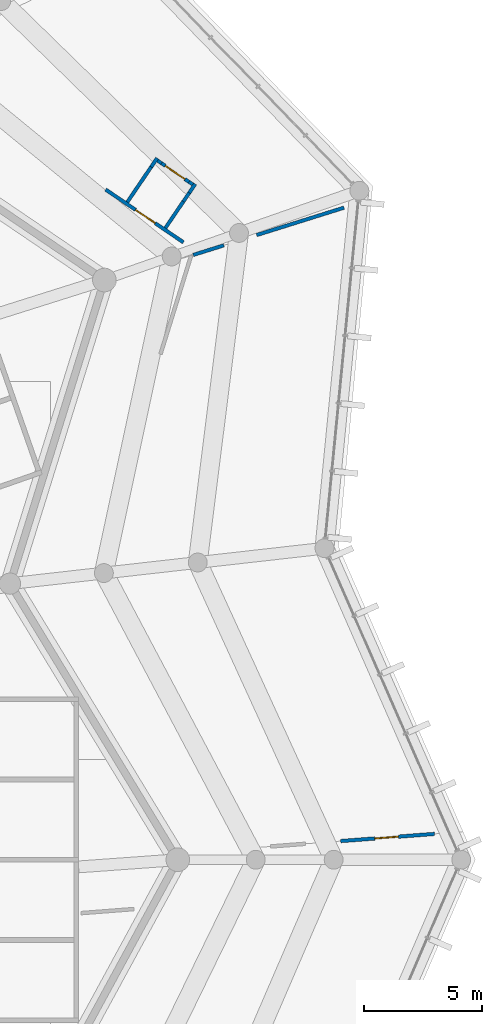
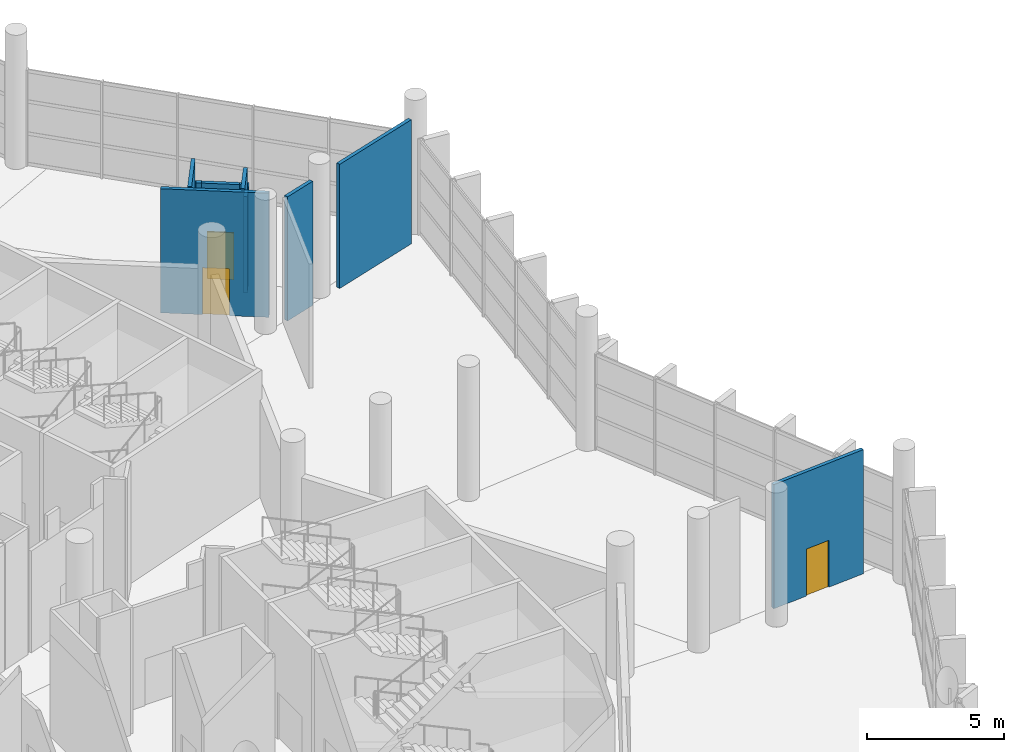
# One storey, part 173 of 249: 12 walls, 3 doors, 3 openings.
"""IFC4 building model written with IfcOpenShell, lengths in metres."""

from ifc_helpers import new_model, si_unit, direction, frame, frame_2d, origin, place, context, subcontext, project, spatial, rectangle, extrude, material, layer, layer_set, type_object, element, fill, save


model = new_model("IFC4")

# Units and contexts
model_context = context("Model", 3, precision=1e-05, world=origin(), true_north=direction((0.0, 1.0)))
body_context = subcontext(model_context, "Body", "Model", "MODEL_VIEW")
ifc_project = project(units=[si_unit("LENGTHUNIT", "METRE"), si_unit("AREAUNIT", "SQUARE_METRE"), si_unit("VOLUMEUNIT", "CUBIC_METRE"), si_unit("PLANEANGLEUNIT", "RADIAN"), si_unit("MASSUNIT", "GRAM", prefix="KILO")], contexts=[model_context])

# Site, building, storey
site_placement = place(None, origin())
site = spatial("IfcSite", under=ifc_project, at=site_placement, CompositionType="ELEMENT")
building_placement = place(site_placement, origin())
building = spatial("IfcBuilding", under=site, at=building_placement, Name="Meseta Stadium", CompositionType="ELEMENT")
storey_placement = place(building_placement, frame((0.0, 0.0, 12.0)))
storey = spatial("IfcBuildingStorey", under=building, at=storey_placement, Name="L02", CompositionType="ELEMENT", Elevation=12.0)

# Wall, opening, door
ifc_material_1 = material(Name="Masonry blockwork", Category="masonry")
ifc_layer = layer(ifc_material_1, 0.14990234375)
ifc_layer_set = layer_set([ifc_layer], Name="Partition 150")
wall_type = type_object("IfcWallType", Name="Partition 150", PredefinedType="PARTITIONING", material=ifc_layer_set)
wall_1_placement = place(storey_placement, frame((108.297119140625, 44.540283203125, 0.0), z_axis=(0.0, 0.0, 1.0), x_axis=(0.997068185729, 0.076518187433, 0.0)))
wall_1 = element("IfcWall", 1, at=wall_1_placement, inside=storey, type_object=wall_type, Name="Partition L02 L02-ring03-0", PredefinedType="PARTITIONING", context=body_context, shape_type="SweptSolid", body=[
    extrude(rectangle(XDim=3.978759765625, YDim=0.14990234375, at=frame_2d((1.9892578125, 0.0))), origin(), (0.0, 0.0, 1.0), 5.550048828125),
])
opening_1_placement = place(wall_1_placement, frame((1.449951171875, 0.0, 0.0)))
opening_1 = element("IfcOpeningElement", 2, at=opening_1_placement, cuts=wall_1, Name="Opening D1270", PredefinedType="OPENING", context=body_context, shape_type="SweptSolid", body=[
    extrude(rectangle(XDim=1.0, YDim=2.10009765625, at=frame_2d((0.5, 1.050048828125))), frame((0.0, 0.0849609375, 0.0), z_axis=(0.0, -1.0, 0.0), x_axis=(1.0, 0.0, 0.0)), (0.0, 0.0, 1.0), 0.169921875),
])
ifc_material_2 = material(Name="Steel", Category="steel")
door_type = type_object("IfcDoorType", Name="Fire door 1000x2100 EI2 60", OperationType="NOTDEFINED", PredefinedType="DOOR", material=ifc_material_2)
door_1_placement = place(opening_1_placement, origin())
door_1 = element("IfcDoor", 3, at=door_1_placement, inside=storey, type_object=door_type, Name="Room door L02 L02-ring03-0", OperationType="SINGLE_SWING_LEFT", OverallHeight=2.10009765625, OverallWidth=1.0, PredefinedType="DOOR", context=body_context, shape_type="SweptSolid", body=[
    extrude(rectangle(XDim=1.0, YDim=2.10009765625, at=frame_2d((0.5, 1.050048828125))), frame((0.0, 0.02490234375, 0.0), z_axis=(0.0, -1.0, 0.0), x_axis=(1.0, 0.0, 0.0)), (0.0, 0.0, 1.0), 0.050048828125),
])
fill(opening_1, door_1)

# Walls
wall_2_placement = place(storey_placement, frame((102.05078125, 69.359619140625, 0.0), z_axis=(0.0, 0.0, 1.0), x_axis=(0.954243765566, 0.299029824395, 0.0)))
element("IfcWall", 4, at=wall_2_placement, inside=storey, type_object=wall_type, Name="Partition L02 L02-ring04-0", PredefinedType="PARTITIONING", context=body_context, shape_type="SweptSolid", body=[
    extrude(rectangle(XDim=1.362548828125, YDim=0.14990234375, at=frame_2d((0.68115234375, 0.0))), origin(), (0.0, 0.0, 1.0), 5.550048828125),
])
wall_3_placement = place(storey_placement, frame((104.73828125, 70.2021484375, 0.0), z_axis=(0.0, 0.0, 1.0), x_axis=(0.954198313531, 0.299174829247, 0.0)))
element("IfcWall", 5, at=wall_3_placement, inside=storey, type_object=wall_type, Name="Partition L02 L02-ring04-0", PredefinedType="PARTITIONING", context=body_context, shape_type="SweptSolid", body=[
    extrude(rectangle(XDim=3.876953125, YDim=0.14990234375, at=frame_2d((1.9384765625, 0.0))), origin(), (0.0, 0.0, 1.0), 5.550048828125),
])

# Wall, opening, door
wall_4_placement = place(storey_placement, frame((101.639404296875, 69.892578125, 0.0), z_axis=(0.0, 0.0, 1.0), x_axis=(-0.82747475675, 0.561502918017, 0.0)))
wall_4 = element("IfcWall", 6, at=wall_4_placement, inside=storey, type_object=wall_type, Name="Partition L02 L02-ring05-0", PredefinedType="PARTITIONING", context=body_context, shape_type="SweptSolid", body=[
    extrude(rectangle(XDim=3.98095703125, YDim=0.14990234375, at=frame_2d((1.990478515625, 0.0))), origin(), (0.0, 0.0, 1.0), 5.550048828125),
])
opening_2_placement = place(wall_4_placement, frame((1.449951171875, 0.0, 0.0)))
opening_2 = element("IfcOpeningElement", 7, at=opening_2_placement, cuts=wall_4, Name="Opening D1265", PredefinedType="OPENING", context=body_context, shape_type="SweptSolid", body=[
    extrude(rectangle(XDim=1.0, YDim=2.10009765625, at=frame_2d((0.5, 1.050048828125))), frame((0.0, 0.0849609375, 0.0), z_axis=(0.0, -1.0, 0.0), x_axis=(1.0, 0.0, 0.0)), (0.0, 0.0, 1.0), 0.169921875),
])
door_2_placement = place(opening_2_placement, origin())
door_2 = element("IfcDoor", 8, at=door_2_placement, inside=storey, type_object=door_type, Name="Room door L02 L02-ring05-0", OperationType="SINGLE_SWING_LEFT", OverallHeight=2.10009765625, OverallWidth=1.0, PredefinedType="DOOR", context=body_context, shape_type="SweptSolid", body=[
    extrude(rectangle(XDim=1.0, YDim=2.10009765625, at=frame_2d((0.5, 1.050048828125))), frame((0.0, 0.02490234375, 0.0), z_axis=(0.0, -1.0, 0.0), x_axis=(1.0, 0.0, 0.0)), (0.0, 0.0, 1.0), 0.050048828125),
])
fill(opening_2, door_2)

# Walls
wall_5_placement = place(storey_placement, frame((100.874755859375, 70.502197265625, 0.0), z_axis=(0.0, 0.0, 1.0), x_axis=(0.561567757892, 0.827430754382, 0.0)))
element("IfcWall", 9, at=wall_5_placement, inside=storey, type_object=wall_type, Name="Partition L02 L02-ring05-0 vestibule", PredefinedType="PARTITIONING", context=body_context, shape_type="SweptSolid", body=[
    extrude(rectangle(XDim=1.349853515625, YDim=0.14990234375, at=frame_2d((0.6748046875, 0.0))), origin(), (0.0, 0.0, 1.0), 5.60009765625),
])
wall_6_placement = place(storey_placement, frame((101.6328125, 71.619140625, 0.0), z_axis=(0.0, 0.0, 1.0), x_axis=(0.561315731762, 0.827601745574, 0.0)))
element("IfcWall", 10, at=wall_6_placement, inside=storey, type_object=wall_type, Name="Partition L02 L02-ring05-0 vestibule", PredefinedType="PARTITIONING", context=body_context, shape_type="SweptSolid", body=[
    extrude(rectangle(XDim=0.4501953125, YDim=0.14990234375, at=frame_2d((0.22509765625, 0.0))), origin(), (0.0, 0.0, 1.0), 4.300048828125),
])
wall_7_placement = place(storey_placement, frame((101.885498046875, 71.99169921875, 0.0), z_axis=(0.0, 0.0, 1.0), x_axis=(0.561567757892, 0.827430754382, 0.0)))
element("IfcWall", 11, at=wall_7_placement, inside=storey, type_object=wall_type, Name="Partition L02 L02-ring05-0 vestibule", PredefinedType="PARTITIONING", context=body_context, shape_type="SweptSolid", body=[
    extrude(rectangle(XDim=0.449951171875, YDim=0.14990234375, at=frame_2d((0.22509765625, 0.0))), origin(), (0.0, 0.0, 1.0), 4.300048828125),
])
wall_8_placement = place(storey_placement, frame((99.26123046875, 71.596923828125, 0.0), z_axis=(0.0, 0.0, 1.0), x_axis=(0.561504735028, 0.82747352377, 0.0)))
element("IfcWall", 12, at=wall_8_placement, inside=storey, type_object=wall_type, Name="Partition L02 L02-ring05-0 vestibule", PredefinedType="PARTITIONING", context=body_context, shape_type="SweptSolid", body=[
    extrude(rectangle(XDim=1.800048828125, YDim=0.14990234375, at=frame_2d((0.89990234375, 0.0))), origin(), (0.0, 0.0, 1.0), 5.60009765625),
])
wall_9_placement = place(storey_placement, frame((100.27197265625, 73.08642578125, 0.0), z_axis=(0.0, 0.0, 1.0), x_axis=(0.561315731762, 0.827601745574, 0.0)))
element("IfcWall", 13, at=wall_9_placement, inside=storey, type_object=wall_type, Name="Partition L02 L02-ring05-0 vestibule", PredefinedType="PARTITIONING", context=body_context, shape_type="SweptSolid", body=[
    extrude(rectangle(XDim=0.4501953125, YDim=0.14990234375, at=frame_2d((0.22509765625, 0.0))), origin(), (0.0, 0.0, 1.0), 4.300048828125),
])
wall_10_placement = place(storey_placement, frame((102.033935546875, 72.343994140625, 0.0), z_axis=(0.0, 0.0, 1.0), x_axis=(-0.827516278761, 0.561441723053, 0.0)))
element("IfcWall", 14, at=wall_10_placement, inside=storey, type_object=wall_type, Name="Partition L02 L02-ring05-0 vestibule", PredefinedType="PARTITIONING", context=body_context, shape_type="SweptSolid", body=[
    extrude(rectangle(XDim=0.199951171875, YDim=0.14990234375, at=frame_2d((0.10009765625, 0.0))), origin(), (0.0, 0.0, 1.0), 4.300048828125),
])

# Wall, opening, door
wall_11_placement = place(storey_placement, frame((101.868408203125, 72.456298828125, 0.0), z_axis=(0.0, 0.0, 1.0), x_axis=(-0.827461305414, 0.56152274045, 0.0)))
wall_11 = element("IfcWall", 15, at=wall_11_placement, inside=storey, type_object=wall_type, Name="Partition L02 L02-ring05-0 vestibule", PredefinedType="PARTITIONING", context=body_context, shape_type="SweptSolid", body=[
    extrude(rectangle(XDim=1.39990234375, YDim=0.14990234375, at=frame_2d((0.699951171875, 0.0))), origin(), (0.0, 0.0, 1.0), 4.300048828125),
])
opening_3_placement = place(wall_11_placement, frame((0.199951171875, 0.0, 0.0)))
opening_3 = element("IfcOpeningElement", 16, at=opening_3_placement, cuts=wall_11, Name="Opening D1266", PredefinedType="OPENING", context=body_context, shape_type="SweptSolid", body=[
    extrude(rectangle(XDim=1.0, YDim=2.10009765625, at=frame_2d((0.5, 1.050048828125))), frame((0.0, 0.0849609375, 0.0), z_axis=(0.0, -1.0, 0.0), x_axis=(1.0, 0.0, 0.0)), (0.0, 0.0, 1.0), 0.169921875),
])
door_3_placement = place(opening_3_placement, origin())
door_3 = element("IfcDoor", 17, at=door_3_placement, inside=storey, type_object=door_type, Name="Vestibule door L02 L02-ring05-0", OperationType="SINGLE_SWING_RIGHT", OverallHeight=2.10009765625, OverallWidth=1.0, PredefinedType="DOOR", context=body_context, shape_type="SweptSolid", body=[
    extrude(rectangle(XDim=1.0, YDim=2.10009765625, at=frame_2d((0.5, 1.050048828125))), frame((0.0, 0.02490234375, 0.0), z_axis=(0.0, -1.0, 0.0), x_axis=(1.0, 0.0, 0.0)), (0.0, 0.0, 1.0), 0.050048828125),
])
fill(opening_3, door_3)

# Wall
wall_12_placement = place(storey_placement, frame((100.7099609375, 73.242431640625, 0.0), z_axis=(0.0, 0.0, 1.0), x_axis=(-0.827516278761, 0.561441723053, 0.0)))
element("IfcWall", 18, at=wall_12_placement, inside=storey, type_object=wall_type, Name="Partition L02 L02-ring05-0 vestibule", PredefinedType="PARTITIONING", context=body_context, shape_type="SweptSolid", body=[
    extrude(rectangle(XDim=0.199951171875, YDim=0.14990234375, at=frame_2d((0.10009765625, 0.0))), origin(), (0.0, 0.0, 1.0), 4.300048828125),
])

save(model, "model.ifc")
